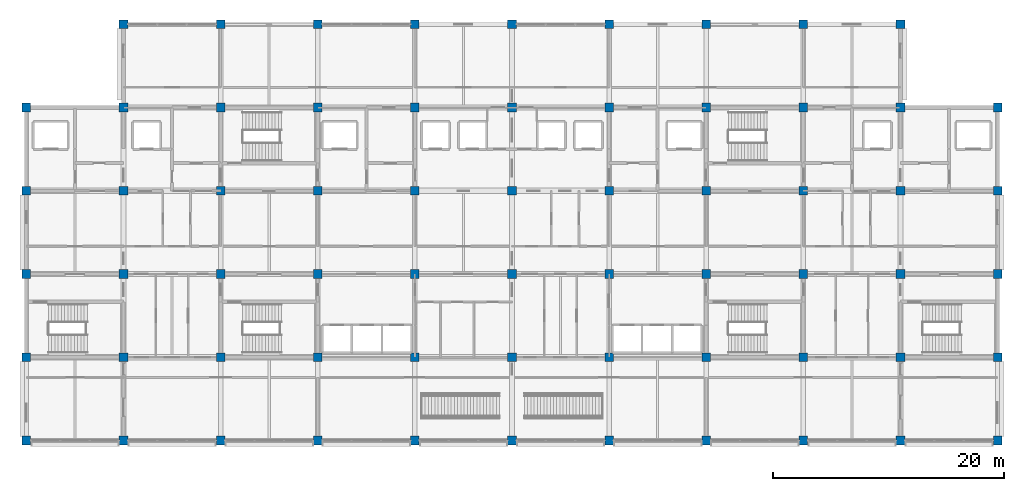
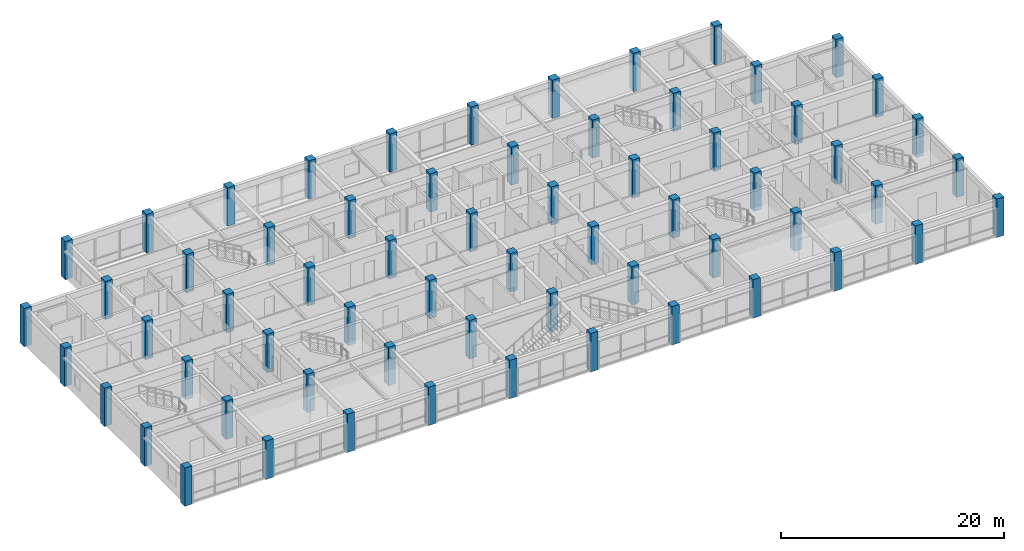
# One storey, part 1 of 27: 64 columns.
"""IFC4 building model written with IfcOpenShell, lengths in metres."""

from ifc_helpers import new_model, si_unit, direction, frame, origin, origin_2d, place, context, subcontext, project, spatial, rectangle, extrude, material, material_profile, profile_set, type_object, element, save


model = new_model("IFC4")

# Units and contexts
model_context = context("Model", 3, precision=1e-05, world=origin(), true_north=direction((0.0, 1.0)))
body_context = subcontext(model_context, "Body", "Model", "MODEL_VIEW")
ifc_project = project(units=[si_unit("LENGTHUNIT", "METRE"), si_unit("AREAUNIT", "SQUARE_METRE"), si_unit("VOLUMEUNIT", "CUBIC_METRE"), si_unit("PLANEANGLEUNIT", "RADIAN"), si_unit("MASSUNIT", "GRAM", prefix="KILO")], contexts=[model_context])

# Site, building, storey
site_placement = place(None, origin())
site = spatial("IfcSite", under=ifc_project, at=site_placement, CompositionType="ELEMENT")
building_placement = place(site_placement, origin())
building = spatial("IfcBuilding", under=site, at=building_placement, Name="Chengyuan Square Courthouse", CompositionType="ELEMENT")
storey_placement = place(building_placement, frame((0.0, 0.0, 39.300048828125)))
storey = spatial("IfcBuildingStorey", under=building, at=storey_placement, Name="L09", CompositionType="ELEMENT", Elevation=39.300048828125)

# Columns
ifc_material = material(Name="Concrete C40", Category="concrete")
ifc_material_profile = material_profile(ifc_material, rectangle(XDim=0.75, YDim=0.75, at=origin_2d()), Name="RC-COL-750x750")
ifc_profile_set = profile_set([ifc_material_profile], Name="Concrete C40")
column_type = type_object("IfcColumnType", Name="CL-05", PredefinedType="COLUMN", material=ifc_profile_set)
for number, where, z_axis, x_axis, name in (
    (1, (42.0, 79.199951171875, 0.0), (0.0, 0.0, 1.0), (1.0, 0.0, 0.0), "Column CL-L09-001"),
    (2, (42.0, 86.39990234375, 0.0), (0.0, 0.0, 1.0), (1.0, 0.0, 0.0), "Column CL-L09-002"),
    (3, (42.0, 93.60009765625, 0.0), (0.0, 0.0, 1.0), (1.0, 0.0, 0.0), "Column CL-L09-003"),
    (4, (42.0, 100.800048828125, 0.0), (0.0, 0.0, 1.0), (1.0, 0.0, 0.0), "Column CL-L09-004"),
    (5, (42.0, 108.0, 0.0), (0.0, 0.0, 1.0), (1.0, 0.0, 0.0), "Column CL-L09-005"),
    (6, (50.39990234375, 79.199951171875, 0.0), (0.0, 0.0, 1.0), (1.0, 0.0, 0.0), "Column CL-L09-006"),
    (7, (50.39990234375, 86.39990234375, 0.0), (0.0, 0.0, 1.0), (1.0, 0.0, 0.0), "Column CL-L09-007"),
    (8, (50.39990234375, 93.60009765625, 0.0), (0.0, 0.0, 1.0), (1.0, 0.0, 0.0), "Column CL-L09-008"),
    (9, (50.39990234375, 100.800048828125, 0.0), (0.0, 0.0, 1.0), (1.0, 0.0, 0.0), "Column CL-L09-009"),
    (10, (50.39990234375, 108.0, 0.0), (0.0, 0.0, 1.0), (1.0, 0.0, 0.0), "Column CL-L09-010"),
    (11, (50.39990234375, 115.199951171875, 0.0), (0.0, 0.0, 1.0), (1.0, 0.0, 0.0), "Column CL-L09-011"),
    (12, (58.800048828125, 79.199951171875, 0.0), (0.0, 0.0, 1.0), (1.0, 0.0, 0.0), "Column CL-L09-012"),
    (13, (58.800048828125, 86.39990234375, 0.0), (0.0, 0.0, 1.0), (1.0, 0.0, 0.0), "Column CL-L09-013"),
    (14, (58.800048828125, 93.60009765625, 0.0), (0.0, 0.0, 1.0), (1.0, 0.0, 0.0), "Column CL-L09-014"),
    (15, (58.800048828125, 100.800048828125, 0.0), (0.0, 0.0, 1.0), (1.0, 0.0, 0.0), "Column CL-L09-015"),
    (16, (58.800048828125, 108.0, 0.0), (0.0, 0.0, 1.0), (1.0, 0.0, 0.0), "Column CL-L09-016"),
    (17, (58.800048828125, 115.199951171875, 0.0), (0.0, 0.0, 1.0), (1.0, 0.0, 0.0), "Column CL-L09-017"),
    (18, (67.199951171875, 79.199951171875, 0.0), (0.0, 0.0, 1.0), (1.0, 0.0, 0.0), "Column CL-L09-018"),
    (19, (67.199951171875, 86.39990234375, 0.0), (0.0, 0.0, 1.0), (1.0, 0.0, 0.0), "Column CL-L09-019"),
    (20, (67.199951171875, 93.60009765625, 0.0), (0.0, 0.0, 1.0), (1.0, 0.0, 0.0), "Column CL-L09-020"),
    (21, (67.199951171875, 100.800048828125, 0.0), (0.0, 0.0, 1.0), (1.0, 0.0, 0.0), "Column CL-L09-021"),
    (22, (67.199951171875, 108.0, 0.0), (0.0, 0.0, 1.0), (1.0, 0.0, 0.0), "Column CL-L09-022"),
    (23, (67.199951171875, 115.199951171875, 0.0), (0.0, 0.0, 1.0), (1.0, 0.0, 0.0), "Column CL-L09-023"),
    (24, (75.60009765625, 79.199951171875, 0.0), (0.0, 0.0, 1.0), (1.0, 0.0, 0.0), "Column CL-L09-024"),
    (25, (75.60009765625, 86.39990234375, 0.0), (0.0, 0.0, 1.0), (1.0, 0.0, 0.0), "Column CL-L09-025"),
    (26, (75.60009765625, 93.60009765625, 0.0), (0.0, 0.0, 1.0), (1.0, 0.0, 0.0), "Column CL-L09-026"),
    (27, (75.60009765625, 100.800048828125, 0.0), (0.0, 0.0, 1.0), (1.0, 0.0, 0.0), "Column CL-L09-027"),
    (28, (75.60009765625, 108.0, 0.0), (0.0, 0.0, 1.0), (1.0, 0.0, 0.0), "Column CL-L09-028"),
    (29, (75.60009765625, 115.199951171875, 0.0), (0.0, 0.0, 1.0), (1.0, 0.0, 0.0), "Column CL-L09-029"),
    (30, (84.0, 79.199951171875, 0.0), (0.0, 0.0, 1.0), (1.0, 0.0, 0.0), "Column CL-L09-030"),
    (31, (84.0, 86.39990234375, 0.0), (0.0, 0.0, 1.0), (1.0, 0.0, 0.0), "Column CL-L09-031"),
    (32, (84.0, 93.60009765625, 0.0), (0.0, 0.0, 1.0), (1.0, 0.0, 0.0), "Column CL-L09-032"),
    (33, (84.0, 100.800048828125, 0.0), (0.0, 0.0, 1.0), (1.0, 0.0, 0.0), "Column CL-L09-033"),
    (34, (84.0, 108.0, 0.0), (0.0, 0.0, 1.0), (1.0, 0.0, 0.0), "Column CL-L09-034"),
    (35, (84.0, 115.199951171875, 0.0), (0.0, 0.0, 1.0), (1.0, 0.0, 0.0), "Column CL-L09-035"),
    (36, (92.39990234375, 79.199951171875, 0.0), (0.0, 0.0, 1.0), (1.0, 0.0, 0.0), "Column CL-L09-036"),
    (37, (92.39990234375, 86.39990234375, 0.0), (0.0, 0.0, 1.0), (1.0, 0.0, 0.0), "Column CL-L09-037"),
    (38, (92.39990234375, 93.60009765625, 0.0), (0.0, 0.0, 1.0), (1.0, 0.0, 0.0), "Column CL-L09-038"),
    (39, (92.39990234375, 100.800048828125, 0.0), (0.0, 0.0, 1.0), (1.0, 0.0, 0.0), "Column CL-L09-039"),
    (40, (92.39990234375, 108.0, 0.0), (0.0, 0.0, 1.0), (1.0, 0.0, 0.0), "Column CL-L09-040"),
    (41, (92.39990234375, 115.199951171875, 0.0), (0.0, 0.0, 1.0), (1.0, 0.0, 0.0), "Column CL-L09-041"),
    (42, (100.800048828125, 79.199951171875, 0.0), (0.0, 0.0, 1.0), (1.0, 0.0, 0.0), "Column CL-L09-042"),
    (43, (100.800048828125, 86.39990234375, 0.0), (0.0, 0.0, 1.0), (1.0, 0.0, 0.0), "Column CL-L09-043"),
    (44, (100.800048828125, 93.60009765625, 0.0), (0.0, 0.0, 1.0), (1.0, 0.0, 0.0), "Column CL-L09-044"),
    (45, (100.800048828125, 100.800048828125, 0.0), (0.0, 0.0, 1.0), (1.0, 0.0, 0.0), "Column CL-L09-045"),
    (46, (100.800048828125, 108.0, 0.0), (0.0, 0.0, 1.0), (1.0, 0.0, 0.0), "Column CL-L09-046"),
    (47, (100.800048828125, 115.199951171875, 0.0), (0.0, 0.0, 1.0), (1.0, 0.0, 0.0), "Column CL-L09-047"),
    (48, (109.199951171875, 79.199951171875, 0.0), (0.0, 0.0, 1.0), (1.0, 0.0, 0.0), "Column CL-L09-048"),
    (49, (109.199951171875, 86.39990234375, 0.0), (0.0, 0.0, 1.0), (1.0, 0.0, 0.0), "Column CL-L09-049"),
    (50, (109.199951171875, 93.60009765625, 0.0), (0.0, 0.0, 1.0), (1.0, 0.0, 0.0), "Column CL-L09-050"),
    (51, (109.199951171875, 100.800048828125, 0.0), (0.0, 0.0, 1.0), (1.0, 0.0, 0.0), "Column CL-L09-051"),
    (52, (109.199951171875, 108.0, 0.0), (0.0, 0.0, 1.0), (1.0, 0.0, 0.0), "Column CL-L09-052"),
    (53, (109.199951171875, 115.199951171875, 0.0), (0.0, 0.0, 1.0), (1.0, 0.0, 0.0), "Column CL-L09-053"),
    (54, (117.60009765625, 79.199951171875, 0.0), (0.0, 0.0, 1.0), (1.0, 0.0, 0.0), "Column CL-L09-054"),
    (55, (117.60009765625, 86.39990234375, 0.0), (0.0, 0.0, 1.0), (1.0, 0.0, 0.0), "Column CL-L09-055"),
    (56, (117.60009765625, 93.60009765625, 0.0), (0.0, 0.0, 1.0), (1.0, 0.0, 0.0), "Column CL-L09-056"),
    (57, (117.60009765625, 100.800048828125, 0.0), (0.0, 0.0, 1.0), (1.0, 0.0, 0.0), "Column CL-L09-057"),
    (58, (117.60009765625, 108.0, 0.0), (0.0, 0.0, 1.0), (1.0, 0.0, 0.0), "Column CL-L09-058"),
    (59, (117.60009765625, 115.199951171875, 0.0), (0.0, 0.0, 1.0), (1.0, 0.0, 0.0), "Column CL-L09-059"),
    (60, (126.0, 79.199951171875, 0.0), (0.0, 0.0, 1.0), (1.0, 0.0, 0.0), "Column CL-L09-060"),
    (61, (126.0, 86.39990234375, 0.0), (0.0, 0.0, 1.0), (1.0, 0.0, 0.0), "Column CL-L09-061"),
    (62, (126.0, 93.60009765625, 0.0), (0.0, 0.0, 1.0), (1.0, 0.0, 0.0), "Column CL-L09-062"),
    (63, (126.0, 100.800048828125, 0.0), (0.0, 0.0, 1.0), (1.0, 0.0, 0.0), "Column CL-L09-063"),
    (64, (126.0, 108.0, 0.0), (0.0, 0.0, 1.0), (1.0, 0.0, 0.0), "Column CL-L09-064"),
):
    element("IfcColumn", number, at=place(storey_placement, frame(where, z_axis=z_axis, x_axis=x_axis)), inside=storey, type_object=column_type, Name=name, PredefinedType="COLUMN", context=body_context, shape_type="SweptSolid", body=[
        extrude(rectangle(XDim=0.75, YDim=0.75, at=origin_2d()), origin(), (0.0, 0.0, 1.0), 4.199951171875),
    ])

save(model, "model.ifc")
